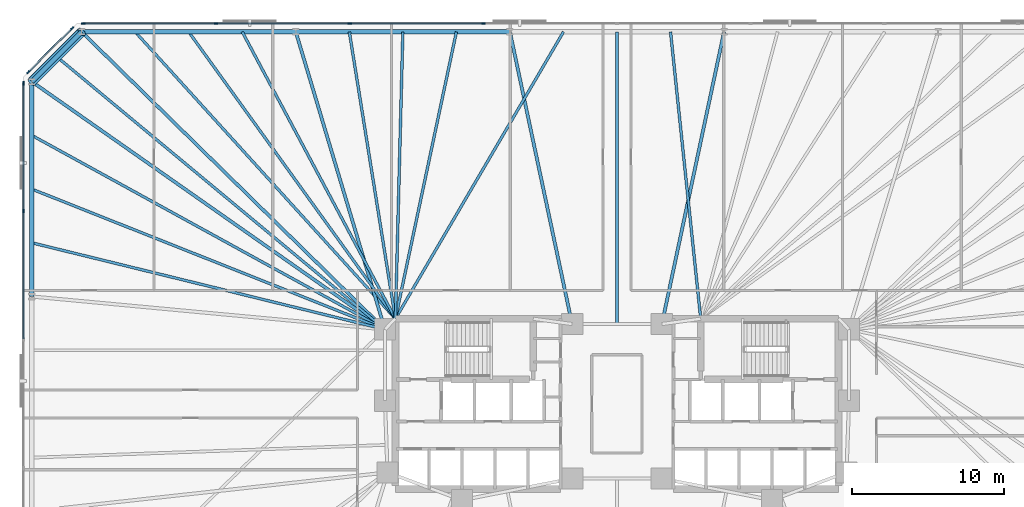
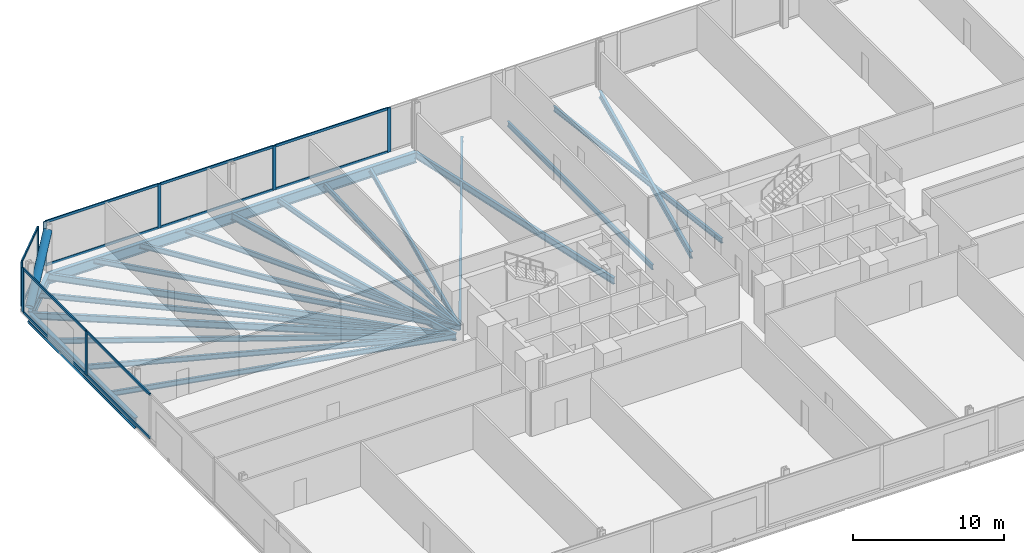
# One storey, part 8 of 17: 22 beams, 21 members, 3 elements without a shape of their own.
"""IFC4 building model written with IfcOpenShell, lengths in metres."""

import ifcopenshell
import ifcopenshell.guid

model = None  # the IFC model being written
_history = None  # IfcOwnerHistory: only IFC2X3 demands one
_inside = {}  # id of a spatial element -> (the spatial element, [elements in it])
_under = {}  # id of a project, library or spatial element -> (it, [spatial elements below it])
_declared = {}  # id of a project -> (the project, [libraries it declares])
_typed = {}  # id of a type object -> (the type object, [elements of that type])
_made_of = {}  # id of a material, layer set ... -> (it, [elements and type objects made of it])


def new_model(schema):
    """Start an empty IFC model of exactly this schema.

    Asked for "IFC4X3", IfcOpenShell would pick the latest addendum, in which some entities
    have other attributes; the version numbers below select the first issue.
    IFC2X3 requires an IfcOwnerHistory on every rooted entity: one is made here for all.
    """
    global model, _history
    if schema == "IFC4X3":
        model = ifcopenshell.file(schema_version=(4, 3, 0, 0))
    else:
        model = ifcopenshell.file(schema=schema)
    _inside.clear()
    _under.clear()
    _declared.clear()
    _typed.clear()
    _made_of.clear()
    _history = None
    if model.schema == "IFC2X3":
        org = make("IfcOrganization", Name="unknown")
        user = make(
            "IfcPersonAndOrganization",
            ThePerson=make("IfcPerson", FamilyName="unknown"),
            TheOrganization=org,
        )
        app = make(
            "IfcApplication",
            ApplicationDeveloper=org,
            Version="unknown",
            ApplicationFullName="unknown",
            ApplicationIdentifier="unknown",
        )
        _history = make(
            "IfcOwnerHistory",
            OwningUser=user,
            OwningApplication=app,
            ChangeAction="ADDED",
            CreationDate=0,
        )
    return model


def make(cls, **values):
    """One entity of the class cls with the attributes given. An attribute that is None is left unset."""
    return model.create_entity(
        cls, **{name: value for name, value in values.items() if value is not None}
    )


def rooted(cls, **values):
    """An entity with a GlobalId (a new one), such as an element, a storey or a relation."""
    return make(cls, GlobalId=ifcopenshell.guid.new(), OwnerHistory=_history, **values)


def si_unit(unit_type, name, prefix=None):
    """IfcSIUnit, for example si_unit("LENGTHUNIT", "METRE", prefix="MILLI")."""
    return make("IfcSIUnit", UnitType=unit_type, Prefix=prefix, Name=name)


def assignment(units):
    """IfcUnitAssignment: the units of a project."""
    return None if units is None else make("IfcUnitAssignment", Units=units)


def point(xyz):
    """IfcCartesianPoint."""
    return None if xyz is None else make("IfcCartesianPoint", Coordinates=xyz)


def direction(xyz):
    """IfcDirection."""
    return None if xyz is None else make("IfcDirection", DirectionRatios=xyz)


def frame(location, z_axis=None, x_axis=None):
    """IfcAxis2Placement3D, a coordinate frame: its origin and axes. An axis left out is left unset."""
    return make(
        "IfcAxis2Placement3D",
        Location=point(location),
        Axis=direction(z_axis),
        RefDirection=direction(x_axis),
    )


def frame_2d(location, x_axis=None):
    """IfcAxis2Placement2D, a coordinate frame in the plane: its origin and x axis."""
    return make(
        "IfcAxis2Placement2D", Location=point(location), RefDirection=direction(x_axis)
    )


def origin():
    """The frame at (0, 0, 0) with its axes left unset."""
    return frame((0.0, 0.0, 0.0))


def origin_2d():
    """The frame at (0, 0) in the plane with its x axis left unset."""
    return frame_2d((0.0, 0.0))


def place(relative_to, where):
    """IfcLocalPlacement: puts the frame where relative to a parent placement (None: the world)."""
    return make(
        "IfcLocalPlacement", PlacementRelTo=relative_to, RelativePlacement=where
    )


def context(
    kind, dimensions, precision=None, world=None, true_north=None, identifier=None
):
    """IfcGeometricRepresentationContext, for example the 3D "Model" context."""
    return make(
        "IfcGeometricRepresentationContext",
        ContextIdentifier=identifier,
        ContextType=kind,
        CoordinateSpaceDimension=dimensions,
        Precision=precision,
        WorldCoordinateSystem=world,
        TrueNorth=true_north,
    )


def subcontext(parent, identifier, kind, view, scale=None):
    """IfcGeometricRepresentationSubContext, for example "Body" below "Model"."""
    return make(
        "IfcGeometricRepresentationSubContext",
        ContextIdentifier=identifier,
        ContextType=kind,
        ParentContext=parent,
        TargetScale=scale,
        TargetView=view,
    )


def project(units=None, contexts=None):
    """IfcProject with its units and contexts."""
    return rooted(
        "IfcProject",
        Name="project",
        RepresentationContexts=contexts,
        UnitsInContext=assignment(units),
    )


def spatial(cls, under=None, at=None, **own):
    """A site, building, storey or space (cls), placed at a placement, below another one or the project."""
    s = rooted(cls, ObjectPlacement=at, **own)
    if under is not None:
        _under.setdefault(under.id(), (under, []))[1].append(s)
    return s


def profile(cls, at=None, kind="AREA", **sizes):
    """A parametric profile (cls). Its sizes go by their IFC names, for example OverallWidth=200.0."""
    return make(cls, ProfileType=kind, Position=at, **sizes)


def rectangle(**sizes):
    """IfcRectangleProfileDef."""
    return profile("IfcRectangleProfileDef", **sizes)


def hollow_circle(**sizes):
    """IfcCircleHollowProfileDef."""
    return profile("IfcCircleHollowProfileDef", **sizes)


def i_section(**sizes):
    """IfcIShapeProfileDef."""
    return profile("IfcIShapeProfileDef", **sizes)


def extrude(swept, where, along, depth):
    """IfcExtrudedAreaSolid: the profile swept, set in the frame where, extruded along a direction by depth."""
    return make(
        "IfcExtrudedAreaSolid",
        SweptArea=swept,
        Position=where,
        ExtrudedDirection=direction(along),
        Depth=depth,
    )


def shape(context_of_items, identifier, shape_type, items):
    """IfcShapeRepresentation: the items that make up one representation, for example the "Body"."""
    return make(
        "IfcShapeRepresentation",
        ContextOfItems=context_of_items,
        RepresentationIdentifier=identifier,
        RepresentationType=shape_type,
        Items=items,
    )


def material(Name=None, Category=None):
    """IfcMaterial."""
    return make("IfcMaterial", Name=Name, Category=Category)


def material_profile(
    of_material, cross_section, Name=None, Category=None, Priority=None
):
    """IfcMaterialProfile: a cross section and its material."""
    return make(
        "IfcMaterialProfile",
        Name=Name,
        Material=of_material,
        Profile=cross_section,
        Priority=Priority,
        Category=Category,
    )


def profile_set(profiles, Name=None, composite=None):
    """IfcMaterialProfileSet."""
    return make(
        "IfcMaterialProfileSet",
        Name=Name,
        MaterialProfiles=profiles,
        CompositeProfile=composite,
    )


def made_of(thing, what):
    """Note that an element or type object is made of a material, layer set ...; save() writes the relation."""
    if what is not None:
        _made_of.setdefault(what.id(), (what, []))[1].append(thing)
    return thing


def type_object(cls, material=None, **own):
    """A type object (cls), such as IfcWallType, which elements share."""
    return made_of(rooted(cls, **own), material)


def element(
    cls,
    number,
    at=None,
    inside=None,
    cuts=None,
    type_object=None,
    material=None,
    context=None,
    identifier="Body",
    shape_type=None,
    held_by="IfcProductDefinitionShape",
    body=None,
    shapes=None,
    **own,
):
    """One element of the class cls, such as IfcWall. Its Tag is "e" and its number.

    at: its placement. inside: the storey or other place that contains it. cuts: it is an
    opening in that element (IfcRelVoidsElement). A single representation is given by context,
    identifier, shape_type and body (its items); several are given by shapes. held_by: the class
    of the entity that holds the representations. save() writes the other relations.
    """
    e = rooted(cls, Tag="e%d" % number, ObjectPlacement=at, **own)
    if body is not None:
        shapes = [shape(context, identifier, shape_type, body)]
    if shapes is not None:
        e.Representation = make(held_by, Representations=shapes)
    if inside is not None:
        _inside.setdefault(inside.id(), (inside, []))[1].append(e)
    if cuts is not None:
        rooted(
            "IfcRelVoidsElement", RelatingBuildingElement=cuts, RelatedOpeningElement=e
        )
    if type_object is not None:
        _typed.setdefault(type_object.id(), (type_object, []))[1].append(e)
    return made_of(e, material)


def aggregate(whole, parts):
    """IfcRelAggregates: a whole, such as a stair, and the parts it consists of."""
    return rooted("IfcRelAggregates", RelatingObject=whole, RelatedObjects=parts)


def save(model, path):
    """Write the relations noted so far, then the file.

    IfcRelAggregates (storeys below a building ...), IfcRelContainedInSpatialStructure (elements
    in a storey), IfcRelDefinesByType, IfcRelAssociatesMaterial and IfcRelDeclares: one each for
    every whole, place, type object, material and project.
    """
    for whole, parts in _under.values():
        aggregate(whole, parts)
    for where, things in _inside.values():
        rooted(
            "IfcRelContainedInSpatialStructure",
            RelatedElements=things,
            RelatingStructure=where,
        )
    for kind, things in _typed.values():
        rooted("IfcRelDefinesByType", RelatedObjects=things, RelatingType=kind)
    for what, things in _made_of.values():
        rooted("IfcRelAssociatesMaterial", RelatedObjects=things, RelatingMaterial=what)
    for by, libraries in _declared.values():
        rooted("IfcRelDeclares", RelatingContext=by, RelatedDefinitions=libraries)
    model.write(path)


model = new_model("IFC4")

# Units and contexts
model_context = context("Model", 3, precision=1e-05, world=origin(), true_north=direction((0.0, 1.0)))
body_context = subcontext(model_context, "Body", "Model", "MODEL_VIEW")
ifc_project = project(units=[si_unit("LENGTHUNIT", "METRE"), si_unit("AREAUNIT", "SQUARE_METRE"), si_unit("VOLUMEUNIT", "CUBIC_METRE"), si_unit("PLANEANGLEUNIT", "RADIAN"), si_unit("MASSUNIT", "GRAM", prefix="KILO")], contexts=[model_context])

# Site, building, storey
site_placement = place(None, origin())
site = spatial("IfcSite", under=ifc_project, at=site_placement, CompositionType="ELEMENT")
building_placement = place(site_placement, origin())
building = spatial("IfcBuilding", under=site, at=building_placement, Name="Menara Jurai Vektor", CompositionType="ELEMENT")
storey_placement = place(building_placement, frame((0.0, 0.0, 37.0)))
storey = spatial("IfcBuildingStorey", under=building, at=storey_placement, Name="L08", CompositionType="ELEMENT", Elevation=37.0)

# Curtain wall, members
ifc_material_1 = material(Name="Anodised Pale Aluminium & Low-E Double Glazing", Category="aluminium")
curtain_wall_type = type_object("IfcCurtainWallType", Name="CW-BLK1", PredefinedType="NOTDEFINED", material=ifc_material_1)
curtain_wall_1_placement = place(storey_placement, origin())
curtain_wall_1 = element("IfcCurtainWall", 1, at=curtain_wall_1_placement, inside=storey, type_object=curtain_wall_type, Name="Unitised Curtain Wall L08 F05", PredefinedType="NOTDEFINED")
ifc_material_2 = material(Name="Anodised Pale Aluminium Mullion", Category="aluminium")
ifc_material_profile_1 = material_profile(ifc_material_2, rectangle(XDim=0.094970703125, YDim=0.239990234375, at=origin_2d()), Name="ALU MUL 95x240")
ifc_profile_set_1 = profile_set([ifc_material_profile_1], Name="Anodised Pale Aluminium Mullion")
member_type_1 = type_object("IfcMemberType", Name="CW-BLK1-MUL", PredefinedType="MULLION", material=ifc_profile_set_1)
member_1_placement = place(storey_placement, frame((-8.780029296875, 25.0, 0.0), z_axis=(0.0, 0.0, 1.0), x_axis=(0.0, -1.0, 0.0)))
member_1 = element("IfcMember", 2, at=member_1_placement, type_object=member_type_1, Name="CW-01 mullion 6", PredefinedType="MULLION", context=body_context, shape_type="SweptSolid", body=[
    extrude(rectangle(XDim=0.094970703125, YDim=0.239990234375, at=origin_2d()), origin(), (0.0, 0.0, 1.0), 3.574951171875),
])
member_2_placement = place(storey_placement, frame((-17.56005859375, 25.0, 0.0), z_axis=(0.0, 0.0, 1.0), x_axis=(0.0, -1.0, 0.0)))
member_2 = element("IfcMember", 3, at=member_2_placement, type_object=member_type_1, Name="CW-01 mullion 7", PredefinedType="MULLION", context=body_context, shape_type="SweptSolid", body=[
    extrude(rectangle(XDim=0.094970703125, YDim=0.239990234375, at=origin_2d()), origin(), (0.0, 0.0, 1.0), 3.574951171875),
])
member_3_placement = place(storey_placement, frame((-26.340087890625, 25.0, 0.0), z_axis=(0.0, 0.0, 1.0), x_axis=(0.0, -1.0, 0.0)))
member_3 = element("IfcMember", 4, at=member_3_placement, type_object=member_type_1, Name="CW-01 mullion 8", PredefinedType="MULLION", context=body_context, shape_type="SweptSolid", body=[
    extrude(rectangle(XDim=0.094970703125, YDim=0.239990234375, at=origin_2d()), origin(), (0.0, 0.0, 1.0), 3.574951171875),
])
member_4_placement = place(storey_placement, frame((-35.072509765625, 25.0, 0.0), z_axis=(0.0, 0.0, 1.0), x_axis=(0.0, -1.0, 0.0)))
member_4 = element("IfcMember", 5, at=member_4_placement, type_object=member_type_1, Name="CW-01 mullion 9", PredefinedType="MULLION", context=body_context, shape_type="SweptSolid", body=[
    extrude(rectangle(XDim=0.094970703125, YDim=0.239990234375, at=origin_2d()), origin(), (0.0, 0.0, 1.0), 3.574951171875),
])

curtain_wall_2_placement = place(storey_placement, origin())
curtain_wall_2 = element("IfcCurtainWall", 6, at=curtain_wall_2_placement, inside=storey, type_object=curtain_wall_type, Name="Unitised Curtain Wall L08 F06", PredefinedType="NOTDEFINED")
member_5_placement = place(storey_placement, frame((-35.80224609375, 24.69775390625, 0.0), z_axis=(0.0, 0.0, 1.0), x_axis=(0.707106781187, -0.707106781187, 0.0)))
member_5 = element("IfcMember", 7, at=member_5_placement, type_object=member_type_1, Name="CW-01 mullion 1", PredefinedType="MULLION", context=body_context, shape_type="SweptSolid", body=[
    extrude(rectangle(XDim=0.094970703125, YDim=0.239990234375, at=origin_2d()), origin(), (0.0, 0.0, 1.0), 3.574951171875),
])
member_6_placement = place(storey_placement, frame((-38.69775390625, 21.80224609375, 0.0), z_axis=(0.0, 0.0, 1.0), x_axis=(0.707106781187, -0.707106781187, 0.0)))
member_6 = element("IfcMember", 8, at=member_6_placement, type_object=member_type_1, Name="CW-01 mullion 2", PredefinedType="MULLION", context=body_context, shape_type="SweptSolid", body=[
    extrude(rectangle(XDim=0.094970703125, YDim=0.239990234375, at=origin_2d()), origin(), (0.0, 0.0, 1.0), 3.574951171875),
])

curtain_wall_3_placement = place(storey_placement, origin())
curtain_wall_3 = element("IfcCurtainWall", 9, at=curtain_wall_3_placement, inside=storey, type_object=curtain_wall_type, Name="Unitised Curtain Wall L08 F07", PredefinedType="NOTDEFINED")
member_7_placement = place(storey_placement, frame((-39.0, 21.072509765625, 0.0), z_axis=(0.0, 0.0, 1.0), x_axis=(1.0, 0.0, 0.0)))
member_7 = element("IfcMember", 10, at=member_7_placement, type_object=member_type_1, Name="CW-01 mullion 1", PredefinedType="MULLION", context=body_context, shape_type="SweptSolid", body=[
    extrude(rectangle(XDim=0.094970703125, YDim=0.239990234375, at=origin_2d()), origin(), (0.0, 0.0, 1.0), 3.574951171875),
])
member_8_placement = place(storey_placement, frame((-39.0, 12.672119140625, 0.0), z_axis=(0.0, 0.0, 1.0), x_axis=(1.0, 0.0, 0.0)))
member_8 = element("IfcMember", 11, at=member_8_placement, type_object=member_type_1, Name="CW-01 mullion 2", PredefinedType="MULLION", context=body_context, shape_type="SweptSolid", body=[
    extrude(rectangle(XDim=0.094970703125, YDim=0.239990234375, at=origin_2d()), origin(), (0.0, 0.0, 1.0), 3.574951171875),
])

# Member
ifc_material_3 = material(Name="Anodised Pale Aluminium Transom", Category="aluminium")
ifc_material_profile_2 = material_profile(ifc_material_3, rectangle(XDim=0.094970703125, YDim=0.199951171875, at=origin_2d()), Name="ALU TRN 95x200")
ifc_profile_set_2 = profile_set([ifc_material_profile_2], Name="Anodised Pale Aluminium Transom")
member_type_2 = type_object("IfcMemberType", Name="CW-BLK1-TRN", PredefinedType="USERDEFINED", material=ifc_profile_set_2)
member_9_placement = place(storey_placement, frame((-8.827392578125, 25.0, 0.047607421875), z_axis=(-1.0, 0.0, 0.0), x_axis=(0.0, -1.0, 0.0)))
member_9 = element("IfcMember", 12, at=member_9_placement, type_object=member_type_2, Name="CW-01 transom 6.1", ObjectType="TRANSOM", PredefinedType="USERDEFINED", context=body_context, shape_type="SweptSolid", body=[
    extrude(rectangle(XDim=0.094970703125, YDim=0.199951171875, at=origin_2d()), origin(), (0.0, 0.0, 1.0), 8.68505859375),
])

member_10_placement = place(storey_placement, frame((-8.827392578125, 25.0, 3.527587890625), z_axis=(-1.0, 0.0, 0.0), x_axis=(0.0, -1.0, 0.0)))
member_10 = element("IfcMember", 13, at=member_10_placement, type_object=member_type_2, Name="CW-01 transom 6.2", ObjectType="TRANSOM", PredefinedType="USERDEFINED", context=body_context, shape_type="SweptSolid", body=[
    extrude(rectangle(XDim=0.094970703125, YDim=0.199951171875, at=origin_2d()), origin(), (0.0, 0.0, 1.0), 8.68505859375),
])

member_11_placement = place(storey_placement, frame((-17.607421875, 25.0, 0.047607421875), z_axis=(-1.0, 0.0, 0.0), x_axis=(0.0, -1.0, 0.0)))
member_11 = element("IfcMember", 14, at=member_11_placement, type_object=member_type_2, Name="CW-01 transom 7.1", ObjectType="TRANSOM", PredefinedType="USERDEFINED", context=body_context, shape_type="SweptSolid", body=[
    extrude(rectangle(XDim=0.094970703125, YDim=0.199951171875, at=origin_2d()), origin(), (0.0, 0.0, 1.0), 8.68505859375),
])

member_12_placement = place(storey_placement, frame((-17.607421875, 25.0, 3.527587890625), z_axis=(-1.0, 0.0, 0.0), x_axis=(0.0, -1.0, 0.0)))
member_12 = element("IfcMember", 15, at=member_12_placement, type_object=member_type_2, Name="CW-01 transom 7.2", ObjectType="TRANSOM", PredefinedType="USERDEFINED", context=body_context, shape_type="SweptSolid", body=[
    extrude(rectangle(XDim=0.094970703125, YDim=0.199951171875, at=origin_2d()), origin(), (0.0, 0.0, 1.0), 8.68505859375),
])

member_13_placement = place(storey_placement, frame((-26.387451171875, 25.0, 0.047607421875), z_axis=(-1.0, 0.0, 0.0), x_axis=(0.0, -1.0, 0.0)))
member_13 = element("IfcMember", 16, at=member_13_placement, type_object=member_type_2, Name="CW-01 transom 8.1", ObjectType="TRANSOM", PredefinedType="USERDEFINED", context=body_context, shape_type="SweptSolid", body=[
    extrude(rectangle(XDim=0.094970703125, YDim=0.199951171875, at=origin_2d()), origin(), (0.0, 0.0, 1.0), 8.637451171875),
])

member_14_placement = place(storey_placement, frame((-26.387451171875, 25.0, 3.527587890625), z_axis=(-1.0, 0.0, 0.0), x_axis=(0.0, -1.0, 0.0)))
member_14 = element("IfcMember", 17, at=member_14_placement, type_object=member_type_2, Name="CW-01 transom 8.2", ObjectType="TRANSOM", PredefinedType="USERDEFINED", context=body_context, shape_type="SweptSolid", body=[
    extrude(rectangle(XDim=0.094970703125, YDim=0.199951171875, at=origin_2d()), origin(), (0.0, 0.0, 1.0), 8.637451171875),
])

aggregate(curtain_wall_1, [member_1, member_2, member_3, member_4, member_9, member_10, member_11, member_12, member_13, member_14])

member_15_placement = place(storey_placement, frame((-35.8359375, 24.6640625, 0.047607421875), z_axis=(-0.707106781187, -0.707106781187, 0.0), x_axis=(0.707106781187, -0.707106781187, 0.0)))
member_15 = element("IfcMember", 18, at=member_15_placement, type_object=member_type_2, Name="CW-01 transom 1.1", ObjectType="TRANSOM", PredefinedType="USERDEFINED", context=body_context, shape_type="SweptSolid", body=[
    extrude(rectangle(XDim=0.094970703125, YDim=0.199951171875, at=origin_2d()), origin(), (0.0, 0.0, 1.0), 3.99951171875),
])

member_16_placement = place(storey_placement, frame((-35.8359375, 24.6640625, 3.527587890625), z_axis=(-0.707106781187, -0.707106781187, 0.0), x_axis=(0.707106781187, -0.707106781187, 0.0)))
member_16 = element("IfcMember", 19, at=member_16_placement, type_object=member_type_2, Name="CW-01 transom 1.2", ObjectType="TRANSOM", PredefinedType="USERDEFINED", context=body_context, shape_type="SweptSolid", body=[
    extrude(rectangle(XDim=0.094970703125, YDim=0.199951171875, at=origin_2d()), origin(), (0.0, 0.0, 1.0), 3.99951171875),
])

aggregate(curtain_wall_2, [member_5, member_6, member_15, member_16])

member_17_placement = place(storey_placement, frame((-39.0, 21.02490234375, 0.047607421875), z_axis=(0.0, -1.0, 0.0), x_axis=(1.0, 0.0, 0.0)))
member_17 = element("IfcMember", 20, at=member_17_placement, type_object=member_type_2, Name="CW-01 transom 1.1", ObjectType="TRANSOM", PredefinedType="USERDEFINED", context=body_context, shape_type="SweptSolid", body=[
    extrude(rectangle(XDim=0.094970703125, YDim=0.199951171875, at=origin_2d()), origin(), (0.0, 0.0, 1.0), 8.305419921875),
])

member_18_placement = place(storey_placement, frame((-39.0, 21.02490234375, 3.527587890625), z_axis=(0.0, -1.0, 0.0), x_axis=(1.0, 0.0, 0.0)))
member_18 = element("IfcMember", 21, at=member_18_placement, type_object=member_type_2, Name="CW-01 transom 1.2", ObjectType="TRANSOM", PredefinedType="USERDEFINED", context=body_context, shape_type="SweptSolid", body=[
    extrude(rectangle(XDim=0.094970703125, YDim=0.199951171875, at=origin_2d()), origin(), (0.0, 0.0, 1.0), 8.305419921875),
])

member_19_placement = place(storey_placement, frame((-39.0, 12.62451171875, 0.047607421875), z_axis=(0.0, -1.0, 0.0), x_axis=(1.0, 0.0, 0.0)))
member_19 = element("IfcMember", 22, at=member_19_placement, type_object=member_type_2, Name="CW-01 transom 2.1", ObjectType="TRANSOM", PredefinedType="USERDEFINED", context=body_context, shape_type="SweptSolid", body=[
    extrude(rectangle(XDim=0.094970703125, YDim=0.199951171875, at=origin_2d()), origin(), (0.0, 0.0, 1.0), 8.35302734375),
])

member_20_placement = place(storey_placement, frame((-39.0, 12.62451171875, 3.527587890625), z_axis=(0.0, -1.0, 0.0), x_axis=(1.0, 0.0, 0.0)))
member_20 = element("IfcMember", 23, at=member_20_placement, type_object=member_type_2, Name="CW-01 transom 2.2", ObjectType="TRANSOM", PredefinedType="USERDEFINED", context=body_context, shape_type="SweptSolid", body=[
    extrude(rectangle(XDim=0.094970703125, YDim=0.199951171875, at=origin_2d()), origin(), (0.0, 0.0, 1.0), 8.35302734375),
])

aggregate(curtain_wall_3, [member_7, member_8, member_17, member_18, member_19, member_20])

# Beams
ifc_material_4 = material(Name="Steel S355", Category="steel")
ifc_material_profile_3 = material_profile(ifc_material_4, i_section(OverallWidth=0.2109375, OverallDepth=0.5390625, WebThickness=0.011962890625, FlangeThickness=0.01904296875, FilletRadius=0.012939453125, at=origin_2d()), Name="UKB 533x210x109")
ifc_profile_set_3 = profile_set([ifc_material_profile_3], Name="Steel S355")
beam_type_1 = type_object("IfcBeamType", Name="STR-BM-533", PredefinedType="BEAM", material=ifc_profile_set_3)
for number, where, z_axis, x_axis, name in (
    (24, (7.03564453125, 24.449951171875, -0.494384765625), (-0.2081367579, -0.978099734184, 0.0), (0.978099734184, -0.2081367579, 0.0), "Radial Floor Girder L08-N3"),
    (25, (-7.03564453125, 24.449951171875, -0.494384765625), (0.2081367579, -0.978099734184, 0.0), (0.978099734184, 0.2081367579, 0.0), "Radial Floor Girder L08-N4"),
):
    element("IfcBeam", number, at=place(storey_placement, frame(where, z_axis=z_axis, x_axis=x_axis)), inside=storey, type_object=beam_type_1, Name=name, PredefinedType="BEAM", context=body_context, shape_type="SweptSolid", body=[
        extrude(i_section(OverallWidth=0.2109375, OverallDepth=0.5390625, WebThickness=0.011962890625, FlangeThickness=0.01904296875, FilletRadius=0.012939453125, at=origin_2d()), origin(), (0.0, 0.0, 1.0), 19.6298828125),
    ])
beam_1_placement = place(storey_placement, frame((-21.106689453125, 24.449951171875, -0.494384765625), z_axis=(0.286973617166, -0.957938486047, 0.0), x_axis=(0.957938486047, 0.286973617166, 0.0)))
element("IfcBeam", 26, at=beam_1_placement, inside=storey, type_object=beam_type_1, Name="Radial Floor Girder L08-N5", PredefinedType="BEAM", context=body_context, shape_type="SweptSolid", body=[
    extrude(i_section(OverallWidth=0.2109375, OverallDepth=0.5390625, WebThickness=0.011962890625, FlangeThickness=0.01904296875, FilletRadius=0.012939453125, at=origin_2d()), origin(), (0.0, 0.0, 1.0), 20.408447265625),
])
beam_2_placement = place(storey_placement, frame((-35.177734375, 24.449951171875, -0.494384765625), z_axis=(0.713839032855, -0.700309813706, 0.0), x_axis=(0.700309813706, 0.713839032855, 0.0)))
element("IfcBeam", 27, at=beam_2_placement, inside=storey, type_object=beam_type_1, Name="Radial Floor Girder L08-N6", PredefinedType="BEAM", context=body_context, shape_type="SweptSolid", body=[
    extrude(i_section(OverallWidth=0.2109375, OverallDepth=0.5390625, WebThickness=0.011962890625, FlangeThickness=0.01904296875, FilletRadius=0.012939453125, at=origin_2d()), origin(), (0.0, 0.0, 1.0), 27.916259765625),
])
beam_3_placement = place(storey_placement, frame((-38.449951171875, 21.177734375, -0.494384765625), z_axis=(0.818603732445, -0.574358711283, 0.0), x_axis=(0.574358711283, 0.818603732445, 0.0)))
element("IfcBeam", 28, at=beam_3_placement, inside=storey, type_object=beam_type_1, Name="Radial Floor Girder L08-W1", PredefinedType="BEAM", context=body_context, shape_type="SweptSolid", body=[
    extrude(i_section(OverallWidth=0.2109375, OverallDepth=0.5390625, WebThickness=0.011962890625, FlangeThickness=0.01904296875, FilletRadius=0.012939453125, at=origin_2d()), origin(), (0.0, 0.0, 1.0), 28.3408203125),
])

# Member
ifc_material_5 = material(Name="Steel S460", Category="steel")
ifc_material_profile_4 = material_profile(ifc_material_5, hollow_circle(Radius=0.304931640625, WallThickness=0.02490234375, at=origin_2d()), Name="CHS 610x25")
ifc_profile_set_4 = profile_set([ifc_material_profile_4], Name="Steel S460")
member_type_3 = type_object("IfcMemberType", Name="STR-BR-610", PredefinedType="BRACE", material=ifc_profile_set_4)
member_21_placement = place(storey_placement, frame((-38.449951171875, 21.177734375, 0.14990234375), z_axis=(0.588928100616, 0.588928100616, 0.55346850372), x_axis=(-0.707106781187, 0.707106781187, 0.0)))
element("IfcMember", 29, at=member_21_placement, inside=storey, type_object=member_type_3, Name="Exoskeleton Corner Brace L08-3", PredefinedType="BRACE", context=body_context, shape_type="SweptSolid", body=[
    extrude(hollow_circle(Radius=0.304931640625, WallThickness=0.02490234375, at=origin_2d()), origin(), (0.0, 0.0, 1.0), 5.55615234375),
])

# Beams
ifc_material_profile_5 = material_profile(ifc_material_4, i_section(OverallWidth=0.178955078125, OverallDepth=0.408935546875, WebThickness=0.009033203125, FlangeThickness=0.013916015625, FilletRadius=0.010009765625, at=origin_2d()), Name="UKB 406x178x67")
ifc_profile_set_5 = profile_set([ifc_material_profile_5], Name="Steel S355")
beam_type_2 = type_object("IfcBeamType", Name="STR-JS-406", PredefinedType="JOIST", material=ifc_profile_set_5)
beam_4_placement = place(storey_placement, frame((3.517822265625, 24.449951171875, -0.429443359375), z_axis=(0.104579513969, -0.994516528399, 0.0), x_axis=(0.994516528399, 0.104579513969, 0.0)))
element("IfcBeam", 30, at=beam_4_placement, inside=storey, type_object=beam_type_2, Name="Radial Secondary Floor Joist L08-JS22", PredefinedType="JOIST", context=body_context, shape_type="SweptSolid", body=[
    extrude(i_section(OverallWidth=0.178955078125, OverallDepth=0.408935546875, WebThickness=0.009033203125, FlangeThickness=0.013916015625, FilletRadius=0.010009765625, at=origin_2d()), origin(), (0.0, 0.0, 1.0), 18.953857421875),
])
beam_5_placement = place(storey_placement, frame((0.0, 24.449951171875, -0.429443359375), z_axis=(0.0, -1.0, 0.0), x_axis=(1.0, 0.0, 0.0)))
element("IfcBeam", 31, at=beam_5_placement, inside=storey, type_object=beam_type_2, Name="Radial Secondary Floor Joist L08-JS23", PredefinedType="JOIST", context=body_context, shape_type="SweptSolid", body=[
    extrude(i_section(OverallWidth=0.178955078125, OverallDepth=0.408935546875, WebThickness=0.009033203125, FlangeThickness=0.013916015625, FilletRadius=0.010009765625, at=origin_2d()), origin(), (0.0, 0.0, 1.0), 19.199951171875),
])
beam_6_placement = place(storey_placement, frame((-3.517822265625, 24.449951171875, -0.429443359375), z_axis=(-0.505457909797, -0.862851262631, 0.0), x_axis=(0.862851262631, -0.505457909797, 0.0)))
element("IfcBeam", 32, at=beam_6_placement, inside=storey, type_object=beam_type_2, Name="Radial Secondary Floor Joist L08-JS24", PredefinedType="JOIST", context=body_context, shape_type="SweptSolid", body=[
    extrude(i_section(OverallWidth=0.178955078125, OverallDepth=0.408935546875, WebThickness=0.009033203125, FlangeThickness=0.013916015625, FilletRadius=0.010009765625, at=origin_2d()), origin(), (0.0, 0.0, 1.0), 21.845947265625),
])
beam_7_placement = place(storey_placement, frame((-10.55322265625, 24.449951171875, -0.429443359375), z_axis=(-0.207920423262, -0.978145744555, 0.0), x_axis=(0.978145744555, -0.207920423262, 0.0)))
element("IfcBeam", 33, at=beam_7_placement, inside=storey, type_object=beam_type_2, Name="Radial Secondary Floor Joist L08-JS25", PredefinedType="JOIST", context=body_context, shape_type="SweptSolid", body=[
    extrude(i_section(OverallWidth=0.178955078125, OverallDepth=0.408935546875, WebThickness=0.009033203125, FlangeThickness=0.013916015625, FilletRadius=0.010009765625, at=origin_2d()), origin(), (0.0, 0.0, 1.0), 19.27099609375),
])
beam_8_placement = place(storey_placement, frame((-14.071044921875, 24.449951171875, -0.429443359375), z_axis=(-0.02593384597, -0.999663661255, 0.0), x_axis=(0.999663661255, -0.02593384597, 0.0)))
element("IfcBeam", 34, at=beam_8_placement, inside=storey, type_object=beam_type_2, Name="Radial Secondary Floor Joist L08-JS26", PredefinedType="JOIST", context=body_context, shape_type="SweptSolid", body=[
    extrude(i_section(OverallWidth=0.178955078125, OverallDepth=0.408935546875, WebThickness=0.009033203125, FlangeThickness=0.013916015625, FilletRadius=0.010009765625, at=origin_2d()), origin(), (0.0, 0.0, 1.0), 18.856201171875),
])
beam_9_placement = place(storey_placement, frame((-17.5888671875, 24.449951171875, -0.429443359375), z_axis=(0.158645817656, -0.987335558227, 0.0), x_axis=(0.987335558227, 0.158645817656, 0.0)))
element("IfcBeam", 35, at=beam_9_placement, inside=storey, type_object=beam_type_2, Name="Radial Secondary Floor Joist L08-JS27", PredefinedType="JOIST", context=body_context, shape_type="SweptSolid", body=[
    extrude(i_section(OverallWidth=0.178955078125, OverallDepth=0.408935546875, WebThickness=0.009033203125, FlangeThickness=0.013916015625, FilletRadius=0.010009765625, at=origin_2d()), origin(), (0.0, 0.0, 1.0), 19.091552734375),
])
beam_10_placement = place(storey_placement, frame((-24.62451171875, 24.449951171875, -0.429443359375), z_axis=(0.470996174599, -0.882135252392, 0.0), x_axis=(0.882135252392, 0.470996174599, 0.0)))
element("IfcBeam", 36, at=beam_10_placement, inside=storey, type_object=beam_type_2, Name="Radial Secondary Floor Joist L08-JS28", PredefinedType="JOIST", context=body_context, shape_type="SweptSolid", body=[
    extrude(i_section(OverallWidth=0.178955078125, OverallDepth=0.408935546875, WebThickness=0.009033203125, FlangeThickness=0.013916015625, FilletRadius=0.010009765625, at=origin_2d()), origin(), (0.0, 0.0, 1.0), 21.368408203125),
])
beam_11_placement = place(storey_placement, frame((-28.142333984375, 24.449951171875, -0.429443359375), z_axis=(0.584598948369, -0.811322420229, 0.0), x_axis=(0.811322420229, 0.584598948369, 0.0)))
element("IfcBeam", 37, at=beam_11_placement, inside=storey, type_object=beam_type_2, Name="Radial Secondary Floor Joist L08-JS29", PredefinedType="JOIST", context=body_context, shape_type="SweptSolid", body=[
    extrude(i_section(OverallWidth=0.178955078125, OverallDepth=0.408935546875, WebThickness=0.009033203125, FlangeThickness=0.013916015625, FilletRadius=0.010009765625, at=origin_2d()), origin(), (0.0, 0.0, 1.0), 23.2333984375),
])
beam_12_placement = place(storey_placement, frame((-31.659912109375, 24.449951171875, -0.429443359375), z_axis=(0.671889844346, -0.740651089964, 0.0), x_axis=(0.740651089964, 0.671889844346, 0.0)))
element("IfcBeam", 38, at=beam_12_placement, inside=storey, type_object=beam_type_2, Name="Radial Secondary Floor Joist L08-JS30", PredefinedType="JOIST", context=body_context, shape_type="SweptSolid", body=[
    extrude(i_section(OverallWidth=0.178955078125, OverallDepth=0.408935546875, WebThickness=0.009033203125, FlangeThickness=0.013916015625, FilletRadius=0.010009765625, at=origin_2d()), origin(), (0.0, 0.0, 1.0), 25.450439453125),
])
beam_13_placement = place(storey_placement, frame((-36.81396484375, 22.81396484375, -0.429443359375), z_axis=(0.769201173096, -0.639006694259, 0.0), x_axis=(0.639006694259, 0.769201173096, 0.0)))
element("IfcBeam", 39, at=beam_13_placement, inside=storey, type_object=beam_type_2, Name="Radial Secondary Floor Joist L08-JS31", PredefinedType="JOIST", context=body_context, shape_type="SweptSolid", body=[
    extrude(i_section(OverallWidth=0.178955078125, OverallDepth=0.408935546875, WebThickness=0.009033203125, FlangeThickness=0.013916015625, FilletRadius=0.010009765625, at=origin_2d()), origin(), (0.0, 0.0, 1.0), 28.0341796875),
])
beam_14_placement = place(storey_placement, frame((-38.449951171875, 17.648193359375, -0.429443359375), z_axis=(0.87640219057, -0.481579900291, 0.0), x_axis=(0.481579900291, 0.87640219057, 0.0)))
element("IfcBeam", 40, at=beam_14_placement, inside=storey, type_object=beam_type_2, Name="Radial Secondary Floor Joist L08-JS32", PredefinedType="JOIST", context=body_context, shape_type="SweptSolid", body=[
    extrude(i_section(OverallWidth=0.178955078125, OverallDepth=0.408935546875, WebThickness=0.009033203125, FlangeThickness=0.013916015625, FilletRadius=0.010009765625, at=origin_2d()), origin(), (0.0, 0.0, 1.0), 26.471923828125),
])
beam_15_placement = place(storey_placement, frame((-38.449951171875, 14.118408203125, -0.429443359375), z_axis=(0.929323400723, -0.369266864027, 0.0), x_axis=(0.369266864027, 0.929323400723, 0.0)))
element("IfcBeam", 41, at=beam_15_placement, inside=storey, type_object=beam_type_2, Name="Radial Secondary Floor Joist L08-JS33", PredefinedType="JOIST", context=body_context, shape_type="SweptSolid", body=[
    extrude(i_section(OverallWidth=0.178955078125, OverallDepth=0.408935546875, WebThickness=0.009033203125, FlangeThickness=0.013916015625, FilletRadius=0.010009765625, at=origin_2d()), origin(), (0.0, 0.0, 1.0), 24.96435546875),
])
beam_16_placement = place(storey_placement, frame((-38.449951171875, 10.5888671875, -0.429443359375), z_axis=(0.971226234641, -0.238158772976, 0.0), x_axis=(0.238158772976, 0.971226234641, 0.0)))
element("IfcBeam", 42, at=beam_16_placement, inside=storey, type_object=beam_type_2, Name="Radial Secondary Floor Joist L08-JS34", PredefinedType="JOIST", context=body_context, shape_type="SweptSolid", body=[
    extrude(i_section(OverallWidth=0.178955078125, OverallDepth=0.408935546875, WebThickness=0.009033203125, FlangeThickness=0.013916015625, FilletRadius=0.010009765625, at=origin_2d()), origin(), (0.0, 0.0, 1.0), 23.88720703125),
])
ifc_material_profile_6 = material_profile(ifc_material_5, i_section(OverallWidth=0.2939453125, OverallDepth=0.85107421875, WebThickness=0.01611328125, FlangeThickness=0.027099609375, FilletRadius=0.01806640625, at=origin_2d()), Name="UKB 838x292x226")
ifc_profile_set_6 = profile_set([ifc_material_profile_6], Name="Steel S460")
beam_type_3 = type_object("IfcBeamType", Name="STR-SP-838", PredefinedType="SPANDREL", material=ifc_profile_set_6)
for number, where, z_axis, x_axis, name in (
    (43, (-7.03564453125, 24.449951171875, -0.650390625), (-1.0, 0.0, 0.0), (0.0, -1.0, 0.0), "Exoskeleton Spandrel Beam L08-14"),
    (44, (-21.106689453125, 24.449951171875, -0.650390625), (-1.0, 0.0, 0.0), (0.0, -1.0, 0.0), "Exoskeleton Spandrel Beam L08-15"),
):
    element("IfcBeam", number, at=place(storey_placement, frame(where, z_axis=z_axis, x_axis=x_axis)), inside=storey, type_object=beam_type_3, Name=name, PredefinedType="SPANDREL", context=body_context, shape_type="SweptSolid", body=[
        extrude(i_section(OverallWidth=0.2939453125, OverallDepth=0.85107421875, WebThickness=0.01611328125, FlangeThickness=0.027099609375, FilletRadius=0.01806640625, at=origin_2d()), origin(), (0.0, 0.0, 1.0), 14.071044921875),
    ])
beam_17_placement = place(storey_placement, frame((-35.177734375, 24.449951171875, -0.650390625), z_axis=(-0.707106781187, -0.707106781187, 0.0), x_axis=(0.707106781187, -0.707106781187, 0.0)))
element("IfcBeam", 45, at=beam_17_placement, inside=storey, type_object=beam_type_3, Name="Exoskeleton Spandrel Beam L08-16", PredefinedType="SPANDREL", context=body_context, shape_type="SweptSolid", body=[
    extrude(i_section(OverallWidth=0.2939453125, OverallDepth=0.85107421875, WebThickness=0.01611328125, FlangeThickness=0.027099609375, FilletRadius=0.01806640625, at=origin_2d()), origin(), (0.0, 0.0, 1.0), 4.627685546875),
])
beam_18_placement = place(storey_placement, frame((-38.449951171875, 21.177734375, -0.650390625), z_axis=(0.0, -1.0, 0.0), x_axis=(1.0, 0.0, 0.0)))
element("IfcBeam", 46, at=beam_18_placement, inside=storey, type_object=beam_type_3, Name="Exoskeleton Spandrel Beam L08-17", PredefinedType="SPANDREL", context=body_context, shape_type="SweptSolid", body=[
    extrude(i_section(OverallWidth=0.2939453125, OverallDepth=0.85107421875, WebThickness=0.01611328125, FlangeThickness=0.027099609375, FilletRadius=0.01806640625, at=origin_2d()), origin(), (0.0, 0.0, 1.0), 14.118408203125),
])

save(model, "model.ifc")
